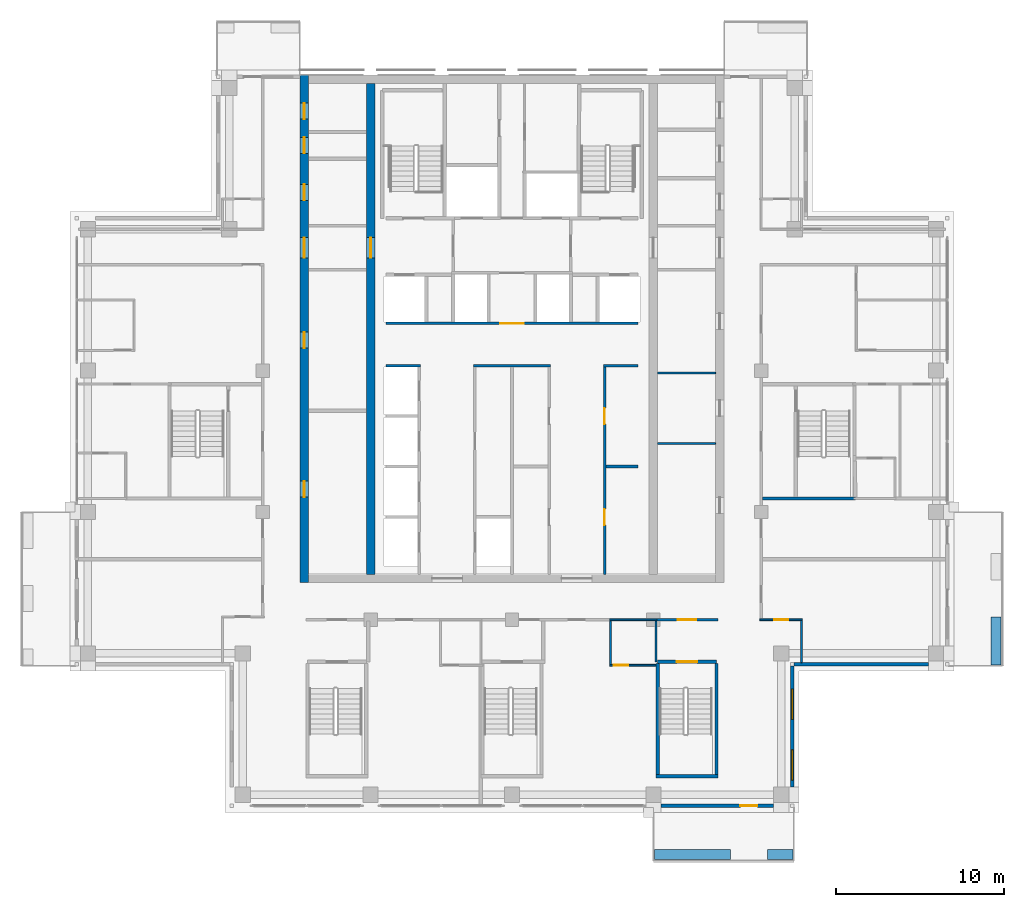
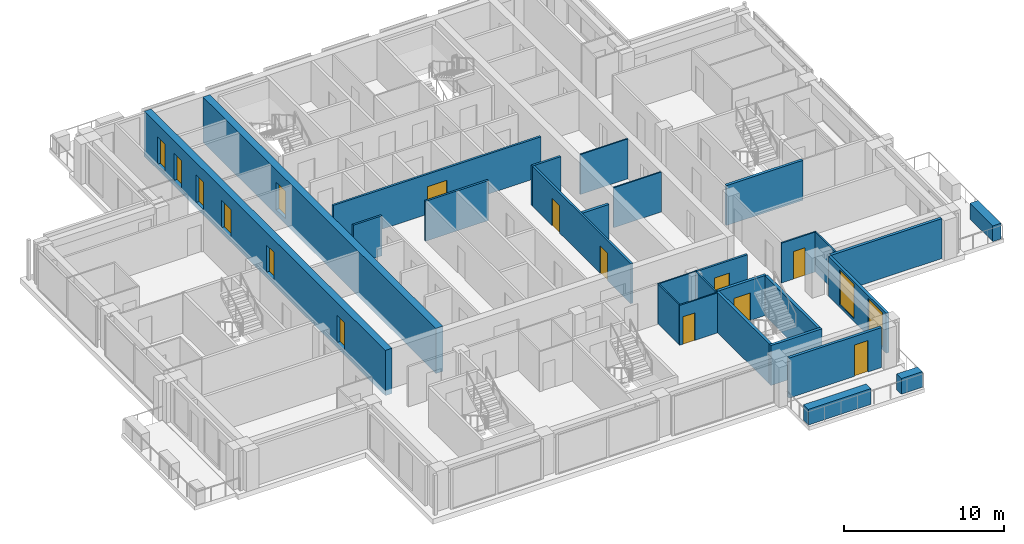
# One storey, part 11 of 18: 28 walls, 15 doors, 2 windows, 17 openings.
"""IFC4 building model written with IfcOpenShell, lengths in metres."""

from ifc_helpers import new_model, si_unit, direction, frame, frame_2d, origin, place, context, subcontext, project, spatial, rectangle, extrude, material, layer, layer_set, type_object, element, fill, save


model = new_model("IFC4")

# Units and contexts
model_context = context("Model", 3, precision=1e-05, world=origin(), true_north=direction((0.0, 1.0)))
body_context = subcontext(model_context, "Body", "Model", "MODEL_VIEW")
ifc_project = project(units=[si_unit("LENGTHUNIT", "METRE"), si_unit("AREAUNIT", "SQUARE_METRE"), si_unit("VOLUMEUNIT", "CUBIC_METRE"), si_unit("PLANEANGLEUNIT", "RADIAN"), si_unit("MASSUNIT", "GRAM", prefix="KILO")], contexts=[model_context])

# Site, building, storey
site_placement = place(None, origin())
site = spatial("IfcSite", under=ifc_project, at=site_placement, CompositionType="ELEMENT")
building_placement = place(site_placement, origin())
building = spatial("IfcBuilding", under=site, at=building_placement, Name="Vermilion Ogive Tower", CompositionType="ELEMENT")
storey_placement = place(building_placement, frame((0.0, 0.0, 230.35009765625)))
storey = spatial("IfcBuildingStorey", under=building, at=storey_placement, Name="L60", CompositionType="ELEMENT", Elevation=230.35009765625)

# Wall, openings, doors
ifc_material_1 = material(Name="Concrete B60", Category="concrete")
ifc_layer_1 = layer(ifc_material_1, 0.5)
ifc_layer_set_1 = layer_set([ifc_layer_1], Name="Core wall 500 B60")
wall_type_1 = type_object("IfcWallType", Name="Core wall 500 B60", PredefinedType="SHEAR", material=ifc_layer_set_1)
wall_1_placement = place(storey_placement, frame((-12.35009765625, -8.39990234375, -0.400146484375), z_axis=(0.0, 0.0, 1.0), x_axis=(0.0, 1.0, 0.0)))
wall_1 = element("IfcWall", 1, at=wall_1_placement, inside=storey, type_object=wall_type_1, Name="L60-CORE-W", PredefinedType="SHEAR", context=body_context, shape_type="SweptSolid", body=[
    extrude(rectangle(XDim=30.14990234375, YDim=0.5, at=frame_2d((15.074951171875, 0.0))), origin(), (0.0, 0.0, 1.0), 3.449951171875),
])
opening_1_placement = place(wall_1_placement, frame((5.0830078125, 0.0, 0.39990234375)))
opening_1 = element("IfcOpeningElement", 2, at=opening_1_placement, cuts=wall_1, Name="Opening DAD100", PredefinedType="OPENING", context=body_context, shape_type="SweptSolid", body=[
    extrude(rectangle(XDim=0.949951171875, YDim=2.10009765625, at=frame_2d((0.47509765625, 1.050048828125))), frame((0.0, 0.260009765625, 0.0), z_axis=(0.0, -1.0, 0.0), x_axis=(1.0, 0.0, 0.0)), (0.0, 0.0, 1.0), 0.52001953125),
])
opening_2_placement = place(wall_1_placement, frame((13.932861328125, 0.0, 0.39990234375)))
opening_2 = element("IfcOpeningElement", 3, at=opening_2_placement, cuts=wall_1, Name="Opening DAD101", PredefinedType="OPENING", context=body_context, shape_type="SweptSolid", body=[
    extrude(rectangle(XDim=0.949951171875, YDim=2.10009765625, at=frame_2d((0.47509765625, 1.050048828125))), frame((0.0, 0.260009765625, 0.0), z_axis=(0.0, -1.0, 0.0), x_axis=(1.0, 0.0, 0.0)), (0.0, 0.0, 1.0), 0.52001953125),
])
opening_3_placement = place(wall_1_placement, frame((22.718994140625, 0.0, 0.39990234375)))
opening_3 = element("IfcOpeningElement", 4, at=opening_3_placement, cuts=wall_1, Name="Opening DAD102", PredefinedType="OPENING", context=body_context, shape_type="SweptSolid", body=[
    extrude(rectangle(XDim=0.949951171875, YDim=2.10009765625, at=frame_2d((0.47509765625, 1.050048828125))), frame((0.0, 0.260009765625, 0.0), z_axis=(0.0, -1.0, 0.0), x_axis=(1.0, 0.0, 0.0)), (0.0, 0.0, 1.0), 0.52001953125),
])
opening_4_placement = place(wall_1_placement, frame((25.505615234375, 0.0, 0.39990234375)))
opening_4 = element("IfcOpeningElement", 5, at=opening_4_placement, cuts=wall_1, Name="Opening DAD103", PredefinedType="OPENING", context=body_context, shape_type="SweptSolid", body=[
    extrude(rectangle(XDim=0.949951171875, YDim=2.10009765625, at=frame_2d((0.47509765625, 1.050048828125))), frame((0.0, 0.260009765625, 0.0), z_axis=(0.0, -1.0, 0.0), x_axis=(1.0, 0.0, 0.0)), (0.0, 0.0, 1.0), 0.52001953125),
])
opening_5_placement = place(wall_1_placement, frame((27.53662109375, 0.0, 0.39990234375)))
opening_5 = element("IfcOpeningElement", 6, at=opening_5_placement, cuts=wall_1, Name="Opening DAD104", PredefinedType="OPENING", context=body_context, shape_type="SweptSolid", body=[
    extrude(rectangle(XDim=0.949951171875, YDim=2.10009765625, at=frame_2d((0.47509765625, 1.050048828125))), frame((0.0, 0.260009765625, 0.0), z_axis=(0.0, -1.0, 0.0), x_axis=(1.0, 0.0, 0.0)), (0.0, 0.0, 1.0), 0.52001953125),
])
opening_6_placement = place(wall_1_placement, frame((19.300048828125, 0.0, 0.39990234375)))
opening_6 = element("IfcOpeningElement", 7, at=opening_6_placement, cuts=wall_1, Name="Opening DAM024", PredefinedType="OPENING", context=body_context, shape_type="SweptSolid", body=[
    extrude(rectangle(XDim=1.199951171875, YDim=2.10009765625, at=frame_2d((0.60009765625, 1.050048828125))), frame((0.0, 0.260009765625, 0.0), z_axis=(0.0, -1.0, 0.0), x_axis=(1.0, 0.0, 0.0)), (0.0, 0.0, 1.0), 0.52001953125),
])
ifc_material_2 = material(Name="Timber door leaf", Category="wood")
door_type_1 = type_object("IfcDoorType", Name="Link door 1200 x 2100 FD60S", OperationType="SINGLE_SWING_LEFT", PredefinedType="DOOR", material=ifc_material_2)
door_1_placement = place(opening_6_placement, origin())
door_1 = element("IfcDoor", 8, at=door_1_placement, inside=storey, type_object=door_type_1, Name="L60-CKW-XL", OperationType="SINGLE_SWING_LEFT", OverallHeight=2.10009765625, OverallWidth=1.199951171875, PredefinedType="DOOR", context=body_context, shape_type="SweptSolid", body=[
    extrude(rectangle(XDim=1.199951171875, YDim=2.10009765625, at=frame_2d((0.60009765625, 1.050048828125))), frame((0.0, 0.02490234375, 0.0), z_axis=(0.0, -1.0, 0.0), x_axis=(1.0, 0.0, 0.0)), (0.0, 0.0, 1.0), 0.050048828125),
])
fill(opening_6, door_1)
ifc_material_3 = material(Name="Timber door leaf", Category="wood")
door_type_2 = type_object("IfcDoorType", Name="Service door 950 x 2100 FD60", OperationType="SINGLE_SWING_LEFT", PredefinedType="DOOR", material=ifc_material_3)
door_2_placement = place(opening_1_placement, origin())
door_2 = element("IfcDoor", 9, at=door_2_placement, inside=storey, type_object=door_type_2, Name="L60-CKW-XR0", OperationType="SINGLE_SWING_LEFT", OverallHeight=2.10009765625, OverallWidth=0.949951171875, PredefinedType="DOOR", context=body_context, shape_type="SweptSolid", body=[
    extrude(rectangle(XDim=0.949951171875, YDim=2.10009765625, at=frame_2d((0.47509765625, 1.050048828125))), frame((0.0, 0.02490234375, 0.0), z_axis=(0.0, -1.0, 0.0), x_axis=(1.0, 0.0, 0.0)), (0.0, 0.0, 1.0), 0.050048828125),
])
fill(opening_1, door_2)
door_3_placement = place(opening_2_placement, origin())
door_3 = element("IfcDoor", 10, at=door_3_placement, inside=storey, type_object=door_type_2, Name="L60-CKW-XR1", OperationType="SINGLE_SWING_LEFT", OverallHeight=2.10009765625, OverallWidth=0.949951171875, PredefinedType="DOOR", context=body_context, shape_type="SweptSolid", body=[
    extrude(rectangle(XDim=0.949951171875, YDim=2.10009765625, at=frame_2d((0.47509765625, 1.050048828125))), frame((0.0, 0.02490234375, 0.0), z_axis=(0.0, -1.0, 0.0), x_axis=(1.0, 0.0, 0.0)), (0.0, 0.0, 1.0), 0.050048828125),
])
fill(opening_2, door_3)
door_4_placement = place(opening_3_placement, origin())
door_4 = element("IfcDoor", 11, at=door_4_placement, inside=storey, type_object=door_type_2, Name="L60-CKW-XR2", OperationType="SINGLE_SWING_LEFT", OverallHeight=2.10009765625, OverallWidth=0.949951171875, PredefinedType="DOOR", context=body_context, shape_type="SweptSolid", body=[
    extrude(rectangle(XDim=0.949951171875, YDim=2.10009765625, at=frame_2d((0.47509765625, 1.050048828125))), frame((0.0, 0.02490234375, 0.0), z_axis=(0.0, -1.0, 0.0), x_axis=(1.0, 0.0, 0.0)), (0.0, 0.0, 1.0), 0.050048828125),
])
fill(opening_3, door_4)
door_5_placement = place(opening_4_placement, origin())
door_5 = element("IfcDoor", 12, at=door_5_placement, inside=storey, type_object=door_type_2, Name="L60-CKW-XR3", OperationType="SINGLE_SWING_LEFT", OverallHeight=2.10009765625, OverallWidth=0.949951171875, PredefinedType="DOOR", context=body_context, shape_type="SweptSolid", body=[
    extrude(rectangle(XDim=0.949951171875, YDim=2.10009765625, at=frame_2d((0.47509765625, 1.050048828125))), frame((0.0, 0.02490234375, 0.0), z_axis=(0.0, -1.0, 0.0), x_axis=(1.0, 0.0, 0.0)), (0.0, 0.0, 1.0), 0.050048828125),
])
fill(opening_4, door_5)
door_6_placement = place(opening_5_placement, origin())
door_6 = element("IfcDoor", 13, at=door_6_placement, inside=storey, type_object=door_type_2, Name="L60-CKW-XR4", OperationType="SINGLE_SWING_LEFT", OverallHeight=2.10009765625, OverallWidth=0.949951171875, PredefinedType="DOOR", context=body_context, shape_type="SweptSolid", body=[
    extrude(rectangle(XDim=0.949951171875, YDim=2.10009765625, at=frame_2d((0.47509765625, 1.050048828125))), frame((0.0, 0.02490234375, 0.0), z_axis=(0.0, -1.0, 0.0), x_axis=(1.0, 0.0, 0.0)), (0.0, 0.0, 1.0), 0.050048828125),
])
fill(opening_5, door_6)

# Wall, opening, door
wall_2_placement = place(storey_placement, frame((-8.39990234375, -7.89990234375, -0.400146484375), z_axis=(0.0, 0.0, 1.0), x_axis=(0.0, 1.0, 0.0)))
wall_2 = element("IfcWall", 14, at=wall_2_placement, inside=storey, type_object=wall_type_1, Name="L60-CORE-WEB1", PredefinedType="SHEAR", context=body_context, shape_type="SweptSolid", body=[
    extrude(rectangle(XDim=29.14990234375, YDim=0.5, at=frame_2d((14.574951171875, 0.0))), origin(), (0.0, 0.0, 1.0), 3.449951171875),
])
opening_7_placement = place(wall_2_placement, frame((18.800048828125, 0.0, 0.39990234375)))
opening_7 = element("IfcOpeningElement", 15, at=opening_7_placement, cuts=wall_2, Name="Opening DAP019", PredefinedType="OPENING", context=body_context, shape_type="SweptSolid", body=[
    extrude(rectangle(XDim=1.199951171875, YDim=2.10009765625, at=frame_2d((0.60009765625, 1.050048828125))), frame((0.0, 0.260009765625, 0.0), z_axis=(0.0, -1.0, 0.0), x_axis=(1.0, 0.0, 0.0)), (0.0, 0.0, 1.0), 0.52001953125),
])
door_7_placement = place(opening_7_placement, origin())
door_7 = element("IfcDoor", 16, at=door_7_placement, inside=storey, type_object=door_type_1, Name="L60-CKW-XW", OperationType="SINGLE_SWING_LEFT", OverallHeight=2.10009765625, OverallWidth=1.199951171875, PredefinedType="DOOR", context=body_context, shape_type="SweptSolid", body=[
    extrude(rectangle(XDim=1.199951171875, YDim=2.10009765625, at=frame_2d((0.60009765625, 1.050048828125))), frame((0.0, 0.02490234375, 0.0), z_axis=(0.0, -1.0, 0.0), x_axis=(1.0, 0.0, 0.0)), (0.0, 0.0, 1.0), 0.050048828125),
])
fill(opening_7, door_7)

ifc_material_4 = material(Name="Gypsum board partition on steel studs", Category="steel")
ifc_layer_2 = layer(ifc_material_4, 0.10009765625)
ifc_layer_set_2 = layer_set([ifc_layer_2], Name="Partition 100 bath")
wall_type_2 = type_object("IfcWallType", Name="Partition 100 bath", PredefinedType="PARTITIONING", material=ifc_layer_set_2)
wall_3_placement = place(storey_placement, frame((5.802001953125, -13.300048828125, 0.0), z_axis=(0.0, 0.0, 1.0), x_axis=(1.0, 0.0, 0.0)))
wall_3 = element("IfcWall", 17, at=wall_3_placement, inside=storey, type_object=wall_type_2, Name="L60-W-W003", PredefinedType="PARTITIONING", context=body_context, shape_type="SweptSolid", body=[
    extrude(rectangle(XDim=2.748046875, YDim=0.10009765625, at=frame_2d((1.3740234375, 0.0))), origin(), (0.0, 0.0, 1.0), 3.0498046875),
])
opening_8_placement = place(wall_3_placement, frame((0.248046875, 0.0, 0.0)))
opening_8 = element("IfcOpeningElement", 18, at=opening_8_placement, cuts=wall_3, Name="Opening D5G1012", PredefinedType="OPENING", context=body_context, shape_type="SweptSolid", body=[
    extrude(rectangle(XDim=0.85009765625, YDim=2.10009765625, at=frame_2d((0.425048828125, 1.050048828125))), frame((0.0, 0.06005859375, 0.0), z_axis=(0.0, -1.0, 0.0), x_axis=(1.0, 0.0, 0.0)), (0.0, 0.0, 1.0), 0.1201171875),
])
ifc_material_5 = material(Name="Timber door leaf", Category="wood")
door_type_3 = type_object("IfcDoorType", Name="Bath door 850 x 2100 FD30", OperationType="SINGLE_SWING_LEFT", PredefinedType="DOOR", material=ifc_material_5)
door_8_placement = place(opening_8_placement, origin())
door_8 = element("IfcDoor", 19, at=door_8_placement, inside=storey, type_object=door_type_3, Name="L60-D-D012", OperationType="SINGLE_SWING_LEFT", OverallHeight=2.10009765625, OverallWidth=0.85009765625, PredefinedType="DOOR", context=body_context, shape_type="SweptSolid", body=[
    extrude(rectangle(XDim=0.85009765625, YDim=2.10009765625, at=frame_2d((0.425048828125, 1.050048828125))), frame((0.0, 0.02490234375, 0.0), z_axis=(0.0, -1.0, 0.0), x_axis=(1.0, 0.0, 0.0)), (0.0, 0.0, 1.0), 0.050048828125),
])
fill(opening_8, door_8)

# Wall
wall_4_placement = place(storey_placement, frame((5.800048828125, -10.60009765625, 0.0), z_axis=(0.0, 0.0, 1.0), x_axis=(1.0, 0.0, 0.0)))
element("IfcWall", 20, at=wall_4_placement, inside=storey, type_object=wall_type_2, Name="L60-W-W010", PredefinedType="PARTITIONING", context=body_context, shape_type="SweptSolid", body=[
    extrude(rectangle(XDim=2.800048828125, YDim=0.10009765625, at=frame_2d((1.39990234375, 0.0))), origin(), (0.0, 0.0, 1.0), 3.0498046875),
])

# Wall, opening, door
wall_5_placement = place(storey_placement, frame((14.72509765625, -10.60009765625, 0.0), z_axis=(0.0, 0.0, 1.0), x_axis=(1.0, 0.0, 0.0)))
wall_5 = element("IfcWall", 21, at=wall_5_placement, inside=storey, type_object=wall_type_2, Name="L60-W-W012", PredefinedType="PARTITIONING", context=body_context, shape_type="SweptSolid", body=[
    extrude(rectangle(XDim=2.52490234375, YDim=0.10009765625, at=frame_2d((1.262451171875, 0.0))), origin(), (0.0, 0.0, 1.0), 3.0498046875),
])
opening_9_placement = place(wall_5_placement, frame((0.849853515625, 0.0, 0.0)))
opening_9 = element("IfcOpeningElement", 22, at=opening_9_placement, cuts=wall_5, Name="Opening D5G1014", PredefinedType="OPENING", context=body_context, shape_type="SweptSolid", body=[
    extrude(rectangle(XDim=0.85009765625, YDim=2.10009765625, at=frame_2d((0.425048828125, 1.050048828125))), frame((0.0, 0.06005859375, 0.0), z_axis=(0.0, -1.0, 0.0), x_axis=(1.0, 0.0, 0.0)), (0.0, 0.0, 1.0), 0.1201171875),
])
door_9_placement = place(opening_9_placement, origin())
door_9 = element("IfcDoor", 23, at=door_9_placement, inside=storey, type_object=door_type_3, Name="L60-D-D014", OperationType="SINGLE_SWING_RIGHT", OverallHeight=2.10009765625, OverallWidth=0.85009765625, PredefinedType="DOOR", context=body_context, shape_type="SweptSolid", body=[
    extrude(rectangle(XDim=0.85009765625, YDim=2.10009765625, at=frame_2d((0.425048828125, 1.050048828125))), frame((0.0, 0.02490234375, 0.0), z_axis=(0.0, -1.0, 0.0), x_axis=(1.0, 0.0, 0.0)), (0.0, 0.0, 1.0), 0.050048828125),
])
fill(opening_9, door_9)

# Walls
wall_6_placement = place(storey_placement, frame((5.85009765625, -13.248046875, 0.0), z_axis=(0.0, 0.0, 1.0), x_axis=(0.0, 1.0, 0.0)))
element("IfcWall", 24, at=wall_6_placement, inside=storey, type_object=wall_type_2, Name="L60-W-W055", PredefinedType="PARTITIONING", context=body_context, shape_type="SweptSolid", body=[
    extrude(rectangle(XDim=2.572998046875, YDim=0.10009765625, at=frame_2d((1.28662109375, 0.0))), origin(), (0.0, 0.0, 1.0), 3.0498046875),
])
wall_7_placement = place(storey_placement, frame((8.550048828125, -13.10009765625, 0.0), z_axis=(0.0, 0.0, 1.0), x_axis=(0.0, 1.0, 0.0)))
element("IfcWall", 25, at=wall_7_placement, inside=storey, type_object=wall_type_2, Name="L60-W-W056", PredefinedType="PARTITIONING", context=body_context, shape_type="SweptSolid", body=[
    extrude(rectangle(XDim=2.425048828125, YDim=0.10009765625, at=frame_2d((1.21240234375, 0.0))), origin(), (0.0, 0.0, 1.0), 3.0498046875),
])
wall_8_placement = place(storey_placement, frame((17.199951171875, -13.14990234375, 0.0), z_axis=(0.0, 0.0, 1.0), x_axis=(0.0, 1.0, 0.0)))
element("IfcWall", 26, at=wall_8_placement, inside=storey, type_object=wall_type_2, Name="L60-W-W061", PredefinedType="PARTITIONING", context=body_context, shape_type="SweptSolid", body=[
    extrude(rectangle(XDim=2.5, YDim=0.10009765625, at=frame_2d((1.25, 0.0))), origin(), (0.0, 0.0, 1.0), 3.0498046875),
])
for number, where, z_axis, x_axis, name in (
    (27, (8.65087890625, -0.125, 0.0), (0.0, 0.0, 1.0), (1.0, 0.0, 0.0), "L60-CKE-W-W001"),
    (28, (8.65087890625, 4.053955078125, 0.0), (0.0, 0.0, 1.0), (1.0, 0.0, 0.0), "L60-CKE-W-W002"),
):
    element("IfcWall", number, at=place(storey_placement, frame(where, z_axis=z_axis, x_axis=x_axis)), inside=storey, type_object=wall_type_2, Name=name, PredefinedType="PARTITIONING", context=body_context, shape_type="SweptSolid", body=[
        extrude(rectangle(XDim=3.4482421875, YDim=0.10009765625, at=frame_2d((1.72412109375, 0.0))), origin(), (0.0, 0.0, 1.0), 3.0498046875),
    ])

# Wall, opening, door
ifc_material_6 = material(Name="Gypsum board partition on steel studs", Category="steel")
ifc_layer_3 = layer(ifc_material_6, 0.14990234375)
ifc_layer_set_3 = layer_set([ifc_layer_3], Name="Partition 150 corridor")
wall_type_3 = type_object("IfcWallType", Name="Partition 150 corridor", PredefinedType="PARTITIONING", material=ifc_layer_set_3)
wall_9_placement = place(storey_placement, frame((8.5, -10.60009765625, 0.0), z_axis=(0.0, 0.0, 1.0), x_axis=(1.0, 0.0, 0.0)))
wall_9 = element("IfcWall", 29, at=wall_9_placement, inside=storey, type_object=wall_type_3, Name="L60-W-W011", PredefinedType="PARTITIONING", context=body_context, shape_type="SweptSolid", body=[
    extrude(rectangle(XDim=3.75, YDim=0.14990234375, at=frame_2d((1.875, 0.0))), origin(), (0.0, 0.0, 1.0), 3.0498046875),
])
opening_10_placement = place(wall_9_placement, frame((1.35009765625, 0.0, 0.0)))
opening_10 = element("IfcOpeningElement", 30, at=opening_10_placement, cuts=wall_9, Name="Opening D5G1027", PredefinedType="OPENING", context=body_context, shape_type="SweptSolid", body=[
    extrude(rectangle(XDim=1.10009765625, YDim=2.10009765625, at=frame_2d((0.550048828125, 1.050048828125))), frame((0.0, 0.0849609375, 0.0), z_axis=(0.0, -1.0, 0.0), x_axis=(1.0, 0.0, 0.0)), (0.0, 0.0, 1.0), 0.169921875),
])
ifc_material_7 = material(Name="Timber door leaf", Category="wood")
door_type_4 = type_object("IfcDoorType", Name="Stair door 1100 x 2100 FD60S", OperationType="SINGLE_SWING_LEFT", PredefinedType="DOOR", material=ifc_material_7)
door_10_placement = place(opening_10_placement, origin())
door_10 = element("IfcDoor", 31, at=door_10_placement, inside=storey, type_object=door_type_4, Name="L60-D-D027", OperationType="SINGLE_SWING_RIGHT", OverallHeight=2.10009765625, OverallWidth=1.10009765625, PredefinedType="DOOR", context=body_context, shape_type="SweptSolid", body=[
    extrude(rectangle(XDim=1.10009765625, YDim=2.10009765625, at=frame_2d((0.550048828125, 1.050048828125))), frame((0.0, 0.02490234375, 0.0), z_axis=(0.0, -1.0, 0.0), x_axis=(1.0, 0.0, 0.0)), (0.0, 0.0, 1.0), 0.050048828125),
])
fill(opening_10, door_10)

# Walls
wall_10_placement = place(storey_placement, frame((-7.5, 4.5, 0.0), z_axis=(0.0, 0.0, 1.0), x_axis=(1.0, 0.0, 0.0)))
element("IfcWall", 32, at=wall_10_placement, inside=storey, type_object=wall_type_3, Name="L60-CK-W-W007", PredefinedType="PARTITIONING", context=body_context, shape_type="SweptSolid", body=[
    extrude(rectangle(XDim=2.074951171875, YDim=0.14990234375, at=frame_2d((1.03759765625, 0.0))), origin(), (0.0, 0.0, 1.0), 3.0498046875),
])
wall_11_placement = place(storey_placement, frame((-2.27490234375, 4.5, 0.0), z_axis=(0.0, 0.0, 1.0), x_axis=(1.0, 0.0, 0.0)))
element("IfcWall", 33, at=wall_11_placement, inside=storey, type_object=wall_type_3, Name="L60-CK-W-W008", PredefinedType="PARTITIONING", context=body_context, shape_type="SweptSolid", body=[
    extrude(rectangle(XDim=4.5498046875, YDim=0.14990234375, at=frame_2d((2.27490234375, 0.0))), origin(), (0.0, 0.0, 1.0), 3.0498046875),
])
wall_12_placement = place(storey_placement, frame((5.425048828125, 4.5, 0.0), z_axis=(0.0, 0.0, 1.0), x_axis=(1.0, 0.0, 0.0)))
element("IfcWall", 34, at=wall_12_placement, inside=storey, type_object=wall_type_3, Name="L60-CK-W-W009", PredefinedType="PARTITIONING", context=body_context, shape_type="SweptSolid", body=[
    extrude(rectangle(XDim=2.074951171875, YDim=0.14990234375, at=frame_2d((1.03759765625, 0.0))), origin(), (0.0, 0.0, 1.0), 3.0498046875),
])

# Wall, opening, door
wall_13_placement = place(storey_placement, frame((-7.5, 7.0, 0.0), z_axis=(0.0, 0.0, 1.0), x_axis=(1.0, 0.0, 0.0)))
wall_13 = element("IfcWall", 35, at=wall_13_placement, inside=storey, type_object=wall_type_3, Name="L60-CK-W-W010", PredefinedType="PARTITIONING", context=body_context, shape_type="SweptSolid", body=[
    extrude(rectangle(XDim=15.0, YDim=0.14990234375, at=frame_2d((7.5, 0.0))), origin(), (0.0, 0.0, 1.0), 3.0498046875),
])
opening_11_placement = place(wall_13_placement, frame((6.800048828125, 0.0, 0.0)))
opening_11 = element("IfcOpeningElement", 36, at=opening_11_placement, cuts=wall_13, Name="Opening DAA540", PredefinedType="OPENING", context=body_context, shape_type="SweptSolid", body=[
    extrude(rectangle(XDim=1.39990234375, YDim=2.10009765625, at=frame_2d((0.699951171875, 1.050048828125))), frame((0.0, 0.0849609375, 0.0), z_axis=(0.0, -1.0, 0.0), x_axis=(1.0, 0.0, 0.0)), (0.0, 0.0, 1.0), 0.169921875),
])
ifc_material_8 = material(Name="Timber door leaf", Category="wood")
door_type_5 = type_object("IfcDoorType", Name="Lobby door 1400 x 2100 FD60S", OperationType="SINGLE_SWING_LEFT", PredefinedType="DOOR", material=ifc_material_8)
door_11_placement = place(opening_11_placement, origin())
door_11 = element("IfcDoor", 37, at=door_11_placement, inside=storey, type_object=door_type_5, Name="L60-CK-D-D015", OperationType="SINGLE_SWING_RIGHT", OverallHeight=2.10009765625, OverallWidth=1.39990234375, PredefinedType="DOOR", context=body_context, shape_type="SweptSolid", body=[
    extrude(rectangle(XDim=1.39990234375, YDim=2.10009765625, at=frame_2d((0.699951171875, 1.050048828125))), frame((0.0, 0.02490234375, 0.0), z_axis=(0.0, -1.0, 0.0), x_axis=(1.0, 0.0, 0.0)), (0.0, 0.0, 1.0), 0.050048828125),
])
fill(opening_11, door_11)

# Wall, openings, doors
wall_14_placement = place(storey_placement, frame((5.5, -7.89892578125, 0.0), z_axis=(0.0, 0.0, 1.0), x_axis=(0.0, 1.0, 0.0)))
wall_14 = element("IfcWall", 38, at=wall_14_placement, inside=storey, type_object=wall_type_3, Name="L60-CK-W-W037", PredefinedType="PARTITIONING", context=body_context, shape_type="SweptSolid", body=[
    extrude(rectangle(XDim=12.323974609375, YDim=0.14990234375, at=frame_2d((6.162109375, 0.0))), origin(), (0.0, 0.0, 1.0), 3.0498046875),
])
opening_12_placement = place(wall_14_placement, frame((2.923828125, 0.0, 0.0)))
opening_12 = element("IfcOpeningElement", 39, at=opening_12_placement, cuts=wall_14, Name="Opening DAA546", PredefinedType="OPENING", context=body_context, shape_type="SweptSolid", body=[
    extrude(rectangle(XDim=0.949951171875, YDim=2.10009765625, at=frame_2d((0.47509765625, 1.050048828125))), frame((0.0, 0.0849609375, 0.0), z_axis=(0.0, -1.0, 0.0), x_axis=(1.0, 0.0, 0.0)), (0.0, 0.0, 1.0), 0.169921875),
])
opening_13_placement = place(wall_14_placement, frame((8.923828125, 0.0, 0.0)))
opening_13 = element("IfcOpeningElement", 40, at=opening_13_placement, cuts=wall_14, Name="Opening DAA547", PredefinedType="OPENING", context=body_context, shape_type="SweptSolid", body=[
    extrude(rectangle(XDim=0.949951171875, YDim=2.10009765625, at=frame_2d((0.47509765625, 1.050048828125))), frame((0.0, 0.0849609375, 0.0), z_axis=(0.0, -1.0, 0.0), x_axis=(1.0, 0.0, 0.0)), (0.0, 0.0, 1.0), 0.169921875),
])
door_12_placement = place(opening_12_placement, origin())
door_12 = element("IfcDoor", 41, at=door_12_placement, inside=storey, type_object=door_type_2, Name="L60-CK-D-D009", OperationType="SINGLE_SWING_LEFT", OverallHeight=2.10009765625, OverallWidth=0.949951171875, PredefinedType="DOOR", context=body_context, shape_type="SweptSolid", body=[
    extrude(rectangle(XDim=0.949951171875, YDim=2.10009765625, at=frame_2d((0.47509765625, 1.050048828125))), frame((0.0, 0.02490234375, 0.0), z_axis=(0.0, -1.0, 0.0), x_axis=(1.0, 0.0, 0.0)), (0.0, 0.0, 1.0), 0.050048828125),
])
fill(opening_12, door_12)
door_13_placement = place(opening_13_placement, origin())
door_13 = element("IfcDoor", 42, at=door_13_placement, inside=storey, type_object=door_type_2, Name="L60-CK-D-D010", OperationType="SINGLE_SWING_LEFT", OverallHeight=2.10009765625, OverallWidth=0.949951171875, PredefinedType="DOOR", context=body_context, shape_type="SweptSolid", body=[
    extrude(rectangle(XDim=0.949951171875, YDim=2.10009765625, at=frame_2d((0.47509765625, 1.050048828125))), frame((0.0, 0.02490234375, 0.0), z_axis=(0.0, -1.0, 0.0), x_axis=(1.0, 0.0, 0.0)), (0.0, 0.0, 1.0), 0.050048828125),
])
fill(opening_13, door_13)

# Wall
ifc_material_9 = material(Name="Gypsum board partition on steel studs", Category="steel")
ifc_layer_4 = layer(ifc_material_9, 0.199951171875)
ifc_layer_set_4 = layer_set([ifc_layer_4], Name="Partition 200 party")
wall_type_4 = type_object("IfcWallType", Name="Partition 200 party", PredefinedType="PARTITIONING", material=ifc_layer_set_4)
wall_15_placement = place(storey_placement, frame((5.574951171875, -1.5, 0.0), z_axis=(0.0, 0.0, 1.0), x_axis=(1.0, 0.0, 0.0)))
element("IfcWall", 43, at=wall_15_placement, inside=storey, type_object=wall_type_4, Name="L60-CK-W-W005", PredefinedType="PARTITIONING", context=body_context, shape_type="SweptSolid", body=[
    extrude(rectangle(XDim=1.925048828125, YDim=0.199951171875, at=frame_2d((0.96240234375, 0.0))), origin(), (0.0, 0.0, 1.0), 3.0498046875),
])

# Wall, opening, door
ifc_material_10 = material(Name="Concrete B60", Category="concrete")
ifc_layer_5 = layer(ifc_material_10, 0.199951171875)
ifc_layer_set_5 = layer_set([ifc_layer_5], Name="Stair shaft wall 200 Concrete B60")
wall_type_5 = type_object("IfcWallType", Name="Stair shaft wall 200 Concrete B60", PredefinedType="SOLIDWALL", material=ifc_layer_set_5)
wall_16_placement = place(storey_placement, frame((8.64990234375, -13.10009765625, 0.0), z_axis=(0.0, 0.0, 1.0), x_axis=(1.0, 0.0, 0.0)))
wall_16 = element("IfcWall", 44, at=wall_16_placement, inside=storey, type_object=wall_type_5, Name="L60-W-W006", PredefinedType="SOLIDWALL", context=body_context, shape_type="SweptSolid", body=[
    extrude(rectangle(XDim=3.5, YDim=0.199951171875, at=frame_2d((1.75, 0.0))), origin(), (0.0, 0.0, 1.0), 3.0498046875),
])
opening_14_placement = place(wall_16_placement, frame((1.150146484375, 0.0, 0.0)))
opening_14 = element("IfcOpeningElement", 45, at=opening_14_placement, cuts=wall_16, Name="Opening D5G1028", PredefinedType="OPENING", context=body_context, shape_type="SweptSolid", body=[
    extrude(rectangle(XDim=1.199951171875, YDim=2.10009765625, at=frame_2d((0.60009765625, 1.050048828125))), frame((0.0, 0.10986328125, 0.0), z_axis=(0.0, -1.0, 0.0), x_axis=(1.0, 0.0, 0.0)), (0.0, 0.0, 1.0), 0.219970703125),
])
ifc_material_11 = material(Name="Timber door leaf", Category="wood")
door_type_6 = type_object("IfcDoorType", Name="Stair door 1200 x 2100 FD60S", OperationType="SINGLE_SWING_LEFT", PredefinedType="DOOR", material=ifc_material_11)
door_14_placement = place(opening_14_placement, origin())
door_14 = element("IfcDoor", 46, at=door_14_placement, inside=storey, type_object=door_type_6, Name="L60-D-D028", OperationType="SINGLE_SWING_RIGHT", OverallHeight=2.10009765625, OverallWidth=1.199951171875, PredefinedType="DOOR", context=body_context, shape_type="SweptSolid", body=[
    extrude(rectangle(XDim=1.199951171875, YDim=2.10009765625, at=frame_2d((0.60009765625, 1.050048828125))), frame((0.0, 0.02490234375, 0.0), z_axis=(0.0, -1.0, 0.0), x_axis=(1.0, 0.0, 0.0)), (0.0, 0.0, 1.0), 0.050048828125),
])
fill(opening_14, door_14)

# Walls
wall_17_placement = place(storey_placement, frame((14.875, -3.39990234375, 0.0), z_axis=(0.0, 0.0, 1.0), x_axis=(1.0, 0.0, 0.0)))
element("IfcWall", 47, at=wall_17_placement, inside=storey, type_object=wall_type_5, Name="L60-W-W018", PredefinedType="SOLIDWALL", context=body_context, shape_type="SweptSolid", body=[
    extrude(rectangle(XDim=5.52490234375, YDim=0.199951171875, at=frame_2d((2.762451171875, 0.0))), origin(), (0.0, 0.0, 1.0), 3.0498046875),
])
wall_18_placement = place(storey_placement, frame((8.550048828125, -19.89990234375, 0.0), z_axis=(0.0, 0.0, 1.0), x_axis=(1.0, 0.0, 0.0)))
element("IfcWall", 48, at=wall_18_placement, inside=storey, type_object=wall_type_5, Name="L60-SW-ST5-S1", PredefinedType="SOLIDWALL", context=body_context, shape_type="SweptSolid", body=[
    extrude(rectangle(XDim=3.699951171875, YDim=0.199951171875, at=frame_2d((1.85009765625, 0.0))), origin(), (0.0, 0.0, 1.0), 3.0498046875),
])
for number, where, z_axis, x_axis, name in (
    (49, (8.64990234375, -19.800048828125, 0.0), (0.0, 0.0, 1.0), (0.0, 1.0, 0.0), "L60-SW-ST5-W1"),
    (50, (12.14990234375, -19.800048828125, 0.0), (0.0, 0.0, 1.0), (0.0, 1.0, 0.0), "L60-SW-ST5-E1"),
):
    element("IfcWall", number, at=place(storey_placement, frame(where, z_axis=z_axis, x_axis=x_axis)), inside=storey, type_object=wall_type_5, Name=name, PredefinedType="SOLIDWALL", context=body_context, shape_type="SweptSolid", body=[
        extrude(rectangle(XDim=6.60009765625, YDim=0.199951171875, at=frame_2d((3.300048828125, 0.0))), origin(), (0.0, 0.0, 1.0), 3.0498046875),
    ])
ifc_material_12 = material(Name="Concrete B40", Category="concrete")
ifc_layer_6 = layer(ifc_material_12, 0.60009765625)
ifc_layer_set_6 = layer_set([ifc_layer_6], Name="Structural planter")
wall_type_6 = type_object("IfcWallType", Name="Structural planter", PredefinedType="USERDEFINED", material=ifc_layer_set_6)
wall_19_placement = place(storey_placement, frame((8.4599609375, -24.550048828125, -0.0400390625), z_axis=(0.0, 0.0, 1.0), x_axis=(1.0, 0.0, 0.0)))
element("IfcWall", 51, at=wall_19_placement, inside=storey, type_object=wall_type_6, Name="Planter S04A1", ObjectType="PLANTER", PredefinedType="USERDEFINED", context=body_context, shape_type="SweptSolid", body=[
    extrude(rectangle(XDim=4.51513671875, YDim=0.60009765625, at=frame_2d((2.257568359375, 0.0))), origin(), (0.0, 0.0, 1.0), 1.199951171875),
])
wall_20_placement = place(storey_placement, frame((15.175048828125, -24.550048828125, -0.0400390625), z_axis=(0.0, 0.0, 1.0), x_axis=(1.0, 0.0, 0.0)))
element("IfcWall", 52, at=wall_20_placement, inside=storey, type_object=wall_type_6, Name="Planter S04A2", ObjectType="PLANTER", PredefinedType="USERDEFINED", context=body_context, shape_type="SweptSolid", body=[
    extrude(rectangle(XDim=1.514892578125, YDim=0.60009765625, at=frame_2d((0.75732421875, 0.0))), origin(), (0.0, 0.0, 1.0), 1.199951171875),
])
wall_21_placement = place(storey_placement, frame((28.75, -13.2900390625, -0.0400390625), z_axis=(0.0, 0.0, 1.0), x_axis=(0.0, 1.0, 0.0)))
element("IfcWall", 53, at=wall_21_placement, inside=storey, type_object=wall_type_6, Name="Planter E01A1", ObjectType="PLANTER", PredefinedType="USERDEFINED", context=body_context, shape_type="SweptSolid", body=[
    extrude(rectangle(XDim=2.864990234375, YDim=0.60009765625, at=frame_2d((1.4326171875, 0.0))), origin(), (0.0, 0.0, 1.0), 1.199951171875),
])

# Wall, opening, door
ifc_material_13 = material(Name="Aluminium window wall framing", Category="aluminium")
ifc_layer_7 = layer(ifc_material_13, 0.199951171875)
ifc_layer_set_7 = layer_set([ifc_layer_7], Name="Window wall")
wall_type_7 = type_object("IfcWallType", Name="Window wall", PredefinedType="STANDARD", material=ifc_layer_set_7)
wall_22_placement = place(storey_placement, frame((8.85009765625, -21.64990234375, 0.0), z_axis=(0.0, 0.0, 1.0), x_axis=(1.0, 0.0, 0.0)))
wall_22 = element("IfcWall", 54, at=wall_22_placement, inside=storey, type_object=wall_type_7, Name="Window wall S4", PredefinedType="STANDARD", context=body_context, shape_type="SweptSolid", body=[
    extrude(rectangle(XDim=6.699951171875, YDim=0.199951171875, at=frame_2d((3.35009765625, 0.0))), origin(), (0.0, 0.0, 1.0), 3.0498046875),
])
opening_15_placement = place(wall_22_placement, frame((4.72509765625, 0.0, 0.0)))
opening_15 = element("IfcOpeningElement", 55, at=opening_15_placement, cuts=wall_22, Name="Opening D1-S03K", PredefinedType="OPENING", context=body_context, shape_type="SweptSolid", body=[
    extrude(rectangle(XDim=1.0, YDim=2.39990234375, at=frame_2d((0.5, 1.199951171875))), frame((0.0, 0.10986328125, 0.0), z_axis=(0.0, -1.0, 0.0), x_axis=(1.0, 0.0, 0.0)), (0.0, 0.0, 1.0), 0.219970703125),
])
ifc_material_14 = material(Name="Aluminium framed glazed door", Category="aluminium")
door_type_7 = type_object("IfcDoorType", Name="Balcony door D1", OperationType="SINGLE_SWING_LEFT", PredefinedType="DOOR", material=ifc_material_14)
door_15_placement = place(opening_15_placement, origin())
door_15 = element("IfcDoor", 56, at=door_15_placement, inside=storey, type_object=door_type_7, Name="Balcony door S03K", OperationType="SINGLE_SWING_LEFT", OverallHeight=2.39990234375, OverallWidth=1.0, PredefinedType="DOOR", context=body_context, shape_type="SweptSolid", body=[
    extrude(rectangle(XDim=1.0, YDim=2.39990234375, at=frame_2d((0.5, 1.199951171875))), frame((0.0, 0.02490234375, 0.0), z_axis=(0.0, -1.0, 0.0), x_axis=(1.0, 0.0, 0.0)), (0.0, 0.0, 1.0), 0.050048828125),
])
fill(opening_15, door_15)

# Wall, openings, windows
wall_23_placement = place(storey_placement, frame((16.64990234375, -20.550048828125, 0.0), z_axis=(0.0, 0.0, 1.0), x_axis=(0.0, 1.0, 0.0)))
wall_23 = element("IfcWall", 57, at=wall_23_placement, inside=storey, type_object=wall_type_7, Name="Window wall X11", PredefinedType="STANDARD", context=body_context, shape_type="SweptSolid", body=[
    extrude(rectangle(XDim=7.199951171875, YDim=0.199951171875, at=frame_2d((3.60009765625, 0.0))), origin(), (0.0, 0.0, 1.0), 3.0498046875),
])
opening_16_placement = place(wall_23_placement, frame((0.425048828125, 0.0, 0.199951171875)))
opening_16 = element("IfcOpeningElement", 58, at=opening_16_placement, cuts=wall_23, Name="Opening W1-X195", PredefinedType="OPENING", context=body_context, shape_type="SweptSolid", body=[
    extrude(rectangle(XDim=1.800048828125, YDim=2.64990234375, at=frame_2d((0.89990234375, 1.324951171875))), frame((0.0, 0.10986328125, 0.0), z_axis=(0.0, -1.0, 0.0), x_axis=(1.0, 0.0, 0.0)), (0.0, 0.0, 1.0), 0.219970703125),
])
opening_17_placement = place(wall_23_placement, frame((4.02490234375, 0.0, 0.199951171875)))
opening_17 = element("IfcOpeningElement", 59, at=opening_17_placement, cuts=wall_23, Name="Opening W1-X196", PredefinedType="OPENING", context=body_context, shape_type="SweptSolid", body=[
    extrude(rectangle(XDim=1.800048828125, YDim=2.64990234375, at=frame_2d((0.89990234375, 1.324951171875))), frame((0.0, 0.10986328125, 0.0), z_axis=(0.0, -1.0, 0.0), x_axis=(1.0, 0.0, 0.0)), (0.0, 0.0, 1.0), 0.219970703125),
])
ifc_material_15 = material(Name="Aluminium framed double glazing", Category="aluminium")
window_type = type_object("IfcWindowType", Name="Guest window W1", PartitioningType="SINGLE_PANEL", PredefinedType="WINDOW", material=ifc_material_15)
window_1_placement = place(opening_16_placement, origin())
window_1 = element("IfcWindow", 60, at=window_1_placement, inside=storey, type_object=window_type, Name="Window X195", OverallHeight=2.64990234375, OverallWidth=1.800048828125, PartitioningType="SINGLE_PANEL", PredefinedType="WINDOW", context=body_context, shape_type="SweptSolid", body=[
    extrude(rectangle(XDim=1.800048828125, YDim=2.64990234375, at=frame_2d((0.89990234375, 1.324951171875))), frame((0.0, 0.030029296875, 0.0), z_axis=(0.0, -1.0, 0.0), x_axis=(1.0, 0.0, 0.0)), (0.0, 0.0, 1.0), 0.06005859375),
])
fill(opening_16, window_1)
window_2_placement = place(opening_17_placement, origin())
window_2 = element("IfcWindow", 61, at=window_2_placement, inside=storey, type_object=window_type, Name="Window X196", OverallHeight=2.64990234375, OverallWidth=1.800048828125, PartitioningType="SINGLE_PANEL", PredefinedType="WINDOW", context=body_context, shape_type="SweptSolid", body=[
    extrude(rectangle(XDim=1.800048828125, YDim=2.64990234375, at=frame_2d((0.89990234375, 1.324951171875))), frame((0.0, 0.030029296875, 0.0), z_axis=(0.0, -1.0, 0.0), x_axis=(1.0, 0.0, 0.0)), (0.0, 0.0, 1.0), 0.06005859375),
])
fill(opening_17, window_2)

# Wall
wall_24_placement = place(storey_placement, frame((16.75, -13.25, 0.0), z_axis=(0.0, 0.0, 1.0), x_axis=(1.0, 0.0, 0.0)))
element("IfcWall", 62, at=wall_24_placement, inside=storey, type_object=wall_type_7, Name="Window wall X21", PredefinedType="STANDARD", context=body_context, shape_type="SweptSolid", body=[
    extrude(rectangle(XDim=8.0, YDim=0.199951171875, at=frame_2d((4.0, 0.0))), origin(), (0.0, 0.0, 1.0), 3.0498046875),
])

save(model, "model.ifc")
